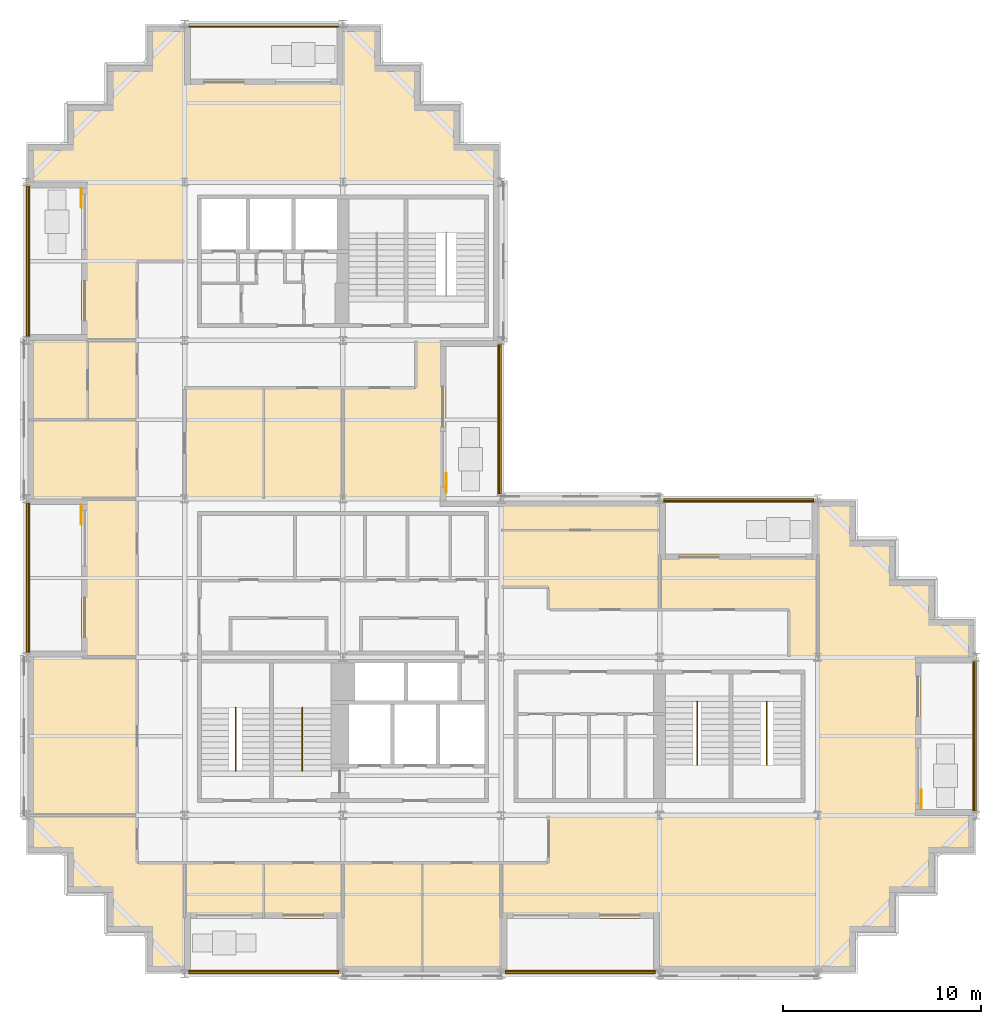
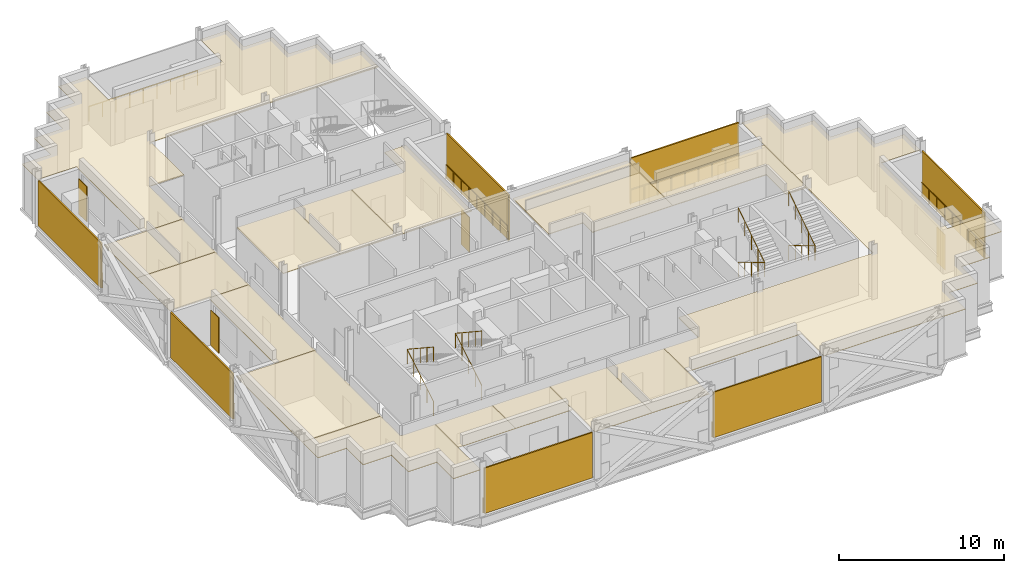
# One storey, part 10 of 12: 18 coverings, 12 railings, 11 shading devices.
"""IFC4 building model written with IfcOpenShell, lengths in metres."""

from ifc_helpers import new_model, si_unit, direction, frame, origin, origin_2d, place, context, subcontext, project, spatial, polyline, rectangle, circle, outline, extrude, material, layer, layer_set, type_object, element, save


model = new_model("IFC4")

# Units and contexts
model_context = context("Model", 3, precision=1e-05, world=origin(), true_north=direction((0.0, 1.0)))
body_context = subcontext(model_context, "Body", "Model", "MODEL_VIEW")
ifc_project = project(units=[si_unit("LENGTHUNIT", "METRE"), si_unit("AREAUNIT", "SQUARE_METRE"), si_unit("VOLUMEUNIT", "CUBIC_METRE"), si_unit("PLANEANGLEUNIT", "RADIAN"), si_unit("MASSUNIT", "GRAM", prefix="KILO")], contexts=[model_context])

# Site, building, storey
site_placement = place(None, origin())
site = spatial("IfcSite", under=ifc_project, at=site_placement, CompositionType="ELEMENT")
building_placement = place(site_placement, origin())
building = spatial("IfcBuilding", under=site, at=building_placement, Name="Immortelle Media Tower", CompositionType="ELEMENT")
storey_placement = place(building_placement, frame((0.0, 0.0, 124.199951171875)))
storey = spatial("IfcBuildingStorey", under=building, at=storey_placement, Name="L24", CompositionType="ELEMENT", Elevation=124.199951171875)

# Railings
ifc_material_1 = material(Name="Powder-coated aluminium fretwork panel, laminated glass backing", Category="aluminium")
railing_type_1 = type_object("IfcRailingType", Name="Fretwork balustrade 1100", PredefinedType="BALUSTRADE", material=ifc_material_1)
railing_1_placement = place(storey_placement, frame((8.20556640625, 0.139892578125, 0.0)))
element("IfcRailing", 1, at=railing_1_placement, inside=storey, type_object=railing_type_1, Name="Fretwork balustrade L24 S0", PredefinedType="BALUSTRADE", context=body_context, shape_type="SweptSolid", body=[
    extrude(circle(Radius=0.02490234375, at=origin_2d()), frame((0.0, 0.0, 1.0751953125), z_axis=(1.0, 0.0, 0.0), x_axis=(0.0, 1.0, 0.0)), (0.0, 0.0, 1.0), 7.58251953125),
    extrude(circle(Radius=0.02001953125, at=origin_2d()), origin(), (0.0, 0.0, 1.0), 1.050048828125),
    extrude(circle(Radius=0.02001953125, at=origin_2d()), frame((0.94775390625, 0.0, 0.0)), (0.0, 0.0, 1.0), 1.050048828125),
    extrude(circle(Radius=0.02001953125, at=origin_2d()), frame((1.8955078125, 0.0, 0.0)), (0.0, 0.0, 1.0), 1.050048828125),
    extrude(circle(Radius=0.02001953125, at=origin_2d()), frame((2.843505859375, 0.0, 0.0)), (0.0, 0.0, 1.0), 1.050048828125),
    extrude(circle(Radius=0.02001953125, at=origin_2d()), frame((3.791259765625, 0.0, 0.0)), (0.0, 0.0, 1.0), 1.050048828125),
    extrude(circle(Radius=0.02001953125, at=origin_2d()), frame((4.739013671875, 0.0, 0.0)), (0.0, 0.0, 1.0), 1.050048828125),
    extrude(circle(Radius=0.02001953125, at=origin_2d()), frame((5.68701171875, 0.0, 0.0)), (0.0, 0.0, 1.0), 1.050048828125),
    extrude(circle(Radius=0.02001953125, at=origin_2d()), frame((6.634765625, 0.0, 0.0)), (0.0, 0.0, 1.0), 1.050048828125),
    extrude(circle(Radius=0.02001953125, at=origin_2d()), frame((7.58251953125, 0.0, 0.0)), (0.0, 0.0, 1.0), 1.050048828125),
])
railing_2_placement = place(storey_placement, frame((24.2119140625, 0.139892578125, 0.0)))
element("IfcRailing", 2, at=railing_2_placement, inside=storey, type_object=railing_type_1, Name="Fretwork balustrade L24 S2", PredefinedType="BALUSTRADE", context=body_context, shape_type="SweptSolid", body=[
    extrude(circle(Radius=0.02490234375, at=origin_2d()), frame((0.0, 0.0, 1.0751953125), z_axis=(1.0, 0.0, 0.0), x_axis=(0.0, 1.0, 0.0)), (0.0, 0.0, 1.0), 7.576171875),
    extrude(circle(Radius=0.02001953125, at=origin_2d()), origin(), (0.0, 0.0, 1.0), 1.050048828125),
    extrude(circle(Radius=0.02001953125, at=origin_2d()), frame((0.947021484375, 0.0, 0.0)), (0.0, 0.0, 1.0), 1.050048828125),
    extrude(circle(Radius=0.02001953125, at=origin_2d()), frame((1.89404296875, 0.0, 0.0)), (0.0, 0.0, 1.0), 1.050048828125),
    extrude(circle(Radius=0.02001953125, at=origin_2d()), frame((2.841064453125, 0.0, 0.0)), (0.0, 0.0, 1.0), 1.050048828125),
    extrude(circle(Radius=0.02001953125, at=origin_2d()), frame((3.7880859375, 0.0, 0.0)), (0.0, 0.0, 1.0), 1.050048828125),
    extrude(circle(Radius=0.02001953125, at=origin_2d()), frame((4.735107421875, 0.0, 0.0)), (0.0, 0.0, 1.0), 1.050048828125),
    extrude(circle(Radius=0.02001953125, at=origin_2d()), frame((5.68212890625, 0.0, 0.0)), (0.0, 0.0, 1.0), 1.050048828125),
    extrude(circle(Radius=0.02001953125, at=origin_2d()), frame((6.629150390625, 0.0, 0.0)), (0.0, 0.0, 1.0), 1.050048828125),
    extrude(circle(Radius=0.02001953125, at=origin_2d()), frame((7.576171875, 0.0, 0.0)), (0.0, 0.0, 1.0), 1.050048828125),
])
railing_3_placement = place(storey_placement, frame((47.860107421875, 8.217041015625, 0.0)))
element("IfcRailing", 3, at=railing_3_placement, inside=storey, type_object=railing_type_1, Name="Fretwork balustrade L24 E0", PredefinedType="BALUSTRADE", context=body_context, shape_type="SweptSolid", body=[
    extrude(circle(Radius=0.02490234375, at=origin_2d()), frame((0.0, 0.0, 1.0751953125), z_axis=(0.0, 1.0, 0.0), x_axis=(-1.0, 0.0, 0.0)), (0.0, 0.0, 1.0), 7.56591796875),
    extrude(circle(Radius=0.02001953125, at=origin_2d()), origin(), (0.0, 0.0, 1.0), 1.050048828125),
    extrude(circle(Radius=0.02001953125, at=origin_2d()), frame((0.0, 0.94580078125, 0.0)), (0.0, 0.0, 1.0), 1.050048828125),
    extrude(circle(Radius=0.02001953125, at=origin_2d()), frame((0.0, 1.8916015625, 0.0)), (0.0, 0.0, 1.0), 1.050048828125),
    extrude(circle(Radius=0.02001953125, at=origin_2d()), frame((0.0, 2.837158203125, 0.0)), (0.0, 0.0, 1.0), 1.050048828125),
    extrude(circle(Radius=0.02001953125, at=origin_2d()), frame((0.0, 3.782958984375, 0.0)), (0.0, 0.0, 1.0), 1.050048828125),
    extrude(circle(Radius=0.02001953125, at=origin_2d()), frame((0.0, 4.728759765625, 0.0)), (0.0, 0.0, 1.0), 1.050048828125),
    extrude(circle(Radius=0.02001953125, at=origin_2d()), frame((0.0, 5.67431640625, 0.0)), (0.0, 0.0, 1.0), 1.050048828125),
    extrude(circle(Radius=0.02001953125, at=origin_2d()), frame((0.0, 6.6201171875, 0.0)), (0.0, 0.0, 1.0), 1.050048828125),
    extrude(circle(Radius=0.02001953125, at=origin_2d()), frame((0.0, 7.56591796875, 0.0)), (0.0, 0.0, 1.0), 1.050048828125),
])
railing_4_placement = place(storey_placement, frame((39.79443359375, 23.860107421875, 0.0)))
element("IfcRailing", 4, at=railing_4_placement, inside=storey, type_object=railing_type_1, Name="Fretwork balustrade L24 N0", PredefinedType="BALUSTRADE", context=body_context, shape_type="SweptSolid", body=[
    extrude(circle(Radius=0.02490234375, at=origin_2d()), frame((0.0, 0.0, 1.0751953125), z_axis=(-1.0, 0.0, 0.0), x_axis=(0.0, -1.0, 0.0)), (0.0, 0.0, 1.0), 7.58251953125),
    extrude(circle(Radius=0.02001953125, at=origin_2d()), origin(), (0.0, 0.0, 1.0), 1.050048828125),
    extrude(circle(Radius=0.02001953125, at=origin_2d()), frame((-0.94775390625, 0.0, 0.0)), (0.0, 0.0, 1.0), 1.050048828125),
    extrude(circle(Radius=0.02001953125, at=origin_2d()), frame((-1.8955078125, 0.0, 0.0)), (0.0, 0.0, 1.0), 1.050048828125),
    extrude(circle(Radius=0.02001953125, at=origin_2d()), frame((-2.843505859375, 0.0, 0.0)), (0.0, 0.0, 1.0), 1.050048828125),
    extrude(circle(Radius=0.02001953125, at=origin_2d()), frame((-3.791259765625, 0.0, 0.0)), (0.0, 0.0, 1.0), 1.050048828125),
    extrude(circle(Radius=0.02001953125, at=origin_2d()), frame((-4.739013671875, 0.0, 0.0)), (0.0, 0.0, 1.0), 1.050048828125),
    extrude(circle(Radius=0.02001953125, at=origin_2d()), frame((-5.68701171875, 0.0, 0.0)), (0.0, 0.0, 1.0), 1.050048828125),
    extrude(circle(Radius=0.02001953125, at=origin_2d()), frame((-6.634765625, 0.0, 0.0)), (0.0, 0.0, 1.0), 1.050048828125),
    extrude(circle(Radius=0.02001953125, at=origin_2d()), frame((-7.58251953125, 0.0, 0.0)), (0.0, 0.0, 1.0), 1.050048828125),
])
railing_5_placement = place(storey_placement, frame((23.860107421875, 24.237548828125, 0.0)))
element("IfcRailing", 5, at=railing_5_placement, inside=storey, type_object=railing_type_1, Name="Fretwork balustrade L24 E0", PredefinedType="BALUSTRADE", context=body_context, shape_type="SweptSolid", body=[
    extrude(circle(Radius=0.02490234375, at=origin_2d()), frame((0.0, 0.0, 1.0751953125), z_axis=(0.0, 1.0, 0.0), x_axis=(-1.0, 0.0, 0.0)), (0.0, 0.0, 1.0), 7.553955078125),
    extrude(circle(Radius=0.02001953125, at=origin_2d()), origin(), (0.0, 0.0, 1.0), 1.050048828125),
    extrude(circle(Radius=0.02001953125, at=origin_2d()), frame((0.0, 0.9443359375, 0.0)), (0.0, 0.0, 1.0), 1.050048828125),
    extrude(circle(Radius=0.02001953125, at=origin_2d()), frame((0.0, 1.888427734375, 0.0)), (0.0, 0.0, 1.0), 1.050048828125),
    extrude(circle(Radius=0.02001953125, at=origin_2d()), frame((0.0, 2.832763671875, 0.0)), (0.0, 0.0, 1.0), 1.050048828125),
    extrude(circle(Radius=0.02001953125, at=origin_2d()), frame((0.0, 3.77685546875, 0.0)), (0.0, 0.0, 1.0), 1.050048828125),
    extrude(circle(Radius=0.02001953125, at=origin_2d()), frame((0.0, 4.72119140625, 0.0)), (0.0, 0.0, 1.0), 1.050048828125),
    extrude(circle(Radius=0.02001953125, at=origin_2d()), frame((0.0, 5.66552734375, 0.0)), (0.0, 0.0, 1.0), 1.050048828125),
    extrude(circle(Radius=0.02001953125, at=origin_2d()), frame((0.0, 6.609619140625, 0.0)), (0.0, 0.0, 1.0), 1.050048828125),
    extrude(circle(Radius=0.02001953125, at=origin_2d()), frame((0.0, 7.553955078125, 0.0)), (0.0, 0.0, 1.0), 1.050048828125),
])
railing_6_placement = place(storey_placement, frame((15.800537109375, 47.860107421875, 0.0)))
element("IfcRailing", 6, at=railing_6_placement, inside=storey, type_object=railing_type_1, Name="Fretwork balustrade L24 N0", PredefinedType="BALUSTRADE", context=body_context, shape_type="SweptSolid", body=[
    extrude(circle(Radius=0.02490234375, at=origin_2d()), frame((0.0, 0.0, 1.0751953125), z_axis=(-1.0, 0.0, 0.0), x_axis=(0.0, -1.0, 0.0)), (0.0, 0.0, 1.0), 7.60107421875),
    extrude(circle(Radius=0.02001953125, at=origin_2d()), origin(), (0.0, 0.0, 1.0), 1.050048828125),
    extrude(circle(Radius=0.02001953125, at=origin_2d()), frame((-0.9501953125, 0.0, 0.0)), (0.0, 0.0, 1.0), 1.050048828125),
    extrude(circle(Radius=0.02001953125, at=origin_2d()), frame((-1.900390625, 0.0, 0.0)), (0.0, 0.0, 1.0), 1.050048828125),
    extrude(circle(Radius=0.02001953125, at=origin_2d()), frame((-2.850341796875, 0.0, 0.0)), (0.0, 0.0, 1.0), 1.050048828125),
    extrude(circle(Radius=0.02001953125, at=origin_2d()), frame((-3.800537109375, 0.0, 0.0)), (0.0, 0.0, 1.0), 1.050048828125),
    extrude(circle(Radius=0.02001953125, at=origin_2d()), frame((-4.750732421875, 0.0, 0.0)), (0.0, 0.0, 1.0), 1.050048828125),
    extrude(circle(Radius=0.02001953125, at=origin_2d()), frame((-5.70068359375, 0.0, 0.0)), (0.0, 0.0, 1.0), 1.050048828125),
    extrude(circle(Radius=0.02001953125, at=origin_2d()), frame((-6.65087890625, 0.0, 0.0)), (0.0, 0.0, 1.0), 1.050048828125),
    extrude(circle(Radius=0.02001953125, at=origin_2d()), frame((-7.60107421875, 0.0, 0.0)), (0.0, 0.0, 1.0), 1.050048828125),
])
railing_7_placement = place(storey_placement, frame((0.139892578125, 39.806884765625, 0.0)))
element("IfcRailing", 7, at=railing_7_placement, inside=storey, type_object=railing_type_1, Name="Fretwork balustrade L24 W0", PredefinedType="BALUSTRADE", context=body_context, shape_type="SweptSolid", body=[
    extrude(circle(Radius=0.02490234375, at=origin_2d()), frame((0.0, 0.0, 1.0751953125), z_axis=(0.0, -1.0, 0.0), x_axis=(1.0, 0.0, 0.0)), (0.0, 0.0, 1.0), 7.598388671875),
    extrude(circle(Radius=0.02001953125, at=origin_2d()), origin(), (0.0, 0.0, 1.0), 1.050048828125),
    extrude(circle(Radius=0.02001953125, at=origin_2d()), frame((0.0, -0.94970703125, 0.0)), (0.0, 0.0, 1.0), 1.050048828125),
    extrude(circle(Radius=0.02001953125, at=origin_2d()), frame((0.0, -1.899658203125, 0.0)), (0.0, 0.0, 1.0), 1.050048828125),
    extrude(circle(Radius=0.02001953125, at=origin_2d()), frame((0.0, -2.849365234375, 0.0)), (0.0, 0.0, 1.0), 1.050048828125),
    extrude(circle(Radius=0.02001953125, at=origin_2d()), frame((0.0, -3.79931640625, 0.0)), (0.0, 0.0, 1.0), 1.050048828125),
    extrude(circle(Radius=0.02001953125, at=origin_2d()), frame((0.0, -4.7490234375, 0.0)), (0.0, 0.0, 1.0), 1.050048828125),
    extrude(circle(Radius=0.02001953125, at=origin_2d()), frame((0.0, -5.69873046875, 0.0)), (0.0, 0.0, 1.0), 1.050048828125),
    extrude(circle(Radius=0.02001953125, at=origin_2d()), frame((0.0, -6.648681640625, 0.0)), (0.0, 0.0, 1.0), 1.050048828125),
    extrude(circle(Radius=0.02001953125, at=origin_2d()), frame((0.0, -7.598388671875, 0.0)), (0.0, 0.0, 1.0), 1.050048828125),
])
railing_8_placement = place(storey_placement, frame((0.139892578125, 23.79150390625, 0.0)))
element("IfcRailing", 8, at=railing_8_placement, inside=storey, type_object=railing_type_1, Name="Fretwork balustrade L24 W2", PredefinedType="BALUSTRADE", context=body_context, shape_type="SweptSolid", body=[
    extrude(circle(Radius=0.02490234375, at=origin_2d()), frame((0.0, 0.0, 1.0751953125), z_axis=(0.0, -1.0, 0.0), x_axis=(1.0, 0.0, 0.0)), (0.0, 0.0, 1.0), 7.553955078125),
    extrude(circle(Radius=0.02001953125, at=origin_2d()), origin(), (0.0, 0.0, 1.0), 1.050048828125),
    extrude(circle(Radius=0.02001953125, at=origin_2d()), frame((0.0, -0.9443359375, 0.0)), (0.0, 0.0, 1.0), 1.050048828125),
    extrude(circle(Radius=0.02001953125, at=origin_2d()), frame((0.0, -1.888427734375, 0.0)), (0.0, 0.0, 1.0), 1.050048828125),
    extrude(circle(Radius=0.02001953125, at=origin_2d()), frame((0.0, -2.832763671875, 0.0)), (0.0, 0.0, 1.0), 1.050048828125),
    extrude(circle(Radius=0.02001953125, at=origin_2d()), frame((0.0, -3.77685546875, 0.0)), (0.0, 0.0, 1.0), 1.050048828125),
    extrude(circle(Radius=0.02001953125, at=origin_2d()), frame((0.0, -4.72119140625, 0.0)), (0.0, 0.0, 1.0), 1.050048828125),
    extrude(circle(Radius=0.02001953125, at=origin_2d()), frame((0.0, -5.66552734375, 0.0)), (0.0, 0.0, 1.0), 1.050048828125),
    extrude(circle(Radius=0.02001953125, at=origin_2d()), frame((0.0, -6.609619140625, 0.0)), (0.0, 0.0, 1.0), 1.050048828125),
    extrude(circle(Radius=0.02001953125, at=origin_2d()), frame((0.0, -7.553955078125, 0.0)), (0.0, 0.0, 1.0), 1.050048828125),
])

# Shading devices
ifc_material_2 = material(Name="Pale aluminium louvre blades", Category="aluminium")
ifc_layer_1 = layer(ifc_material_2, 0.10009765625)
ifc_layer_set_1 = layer_set([ifc_layer_1], Name="Pale aluminium louvre blades")
shading_device_type_1 = type_object("IfcShadingDeviceType", Name="Jalousie screen 100", PredefinedType="JALOUSIE", material=ifc_layer_set_1)
shading_device_1_placement = place(storey_placement, frame((11.996826171875, 0.050048828125, 0.0), z_axis=(0.0, 0.0, 1.0), x_axis=(1.0, 0.0, 0.0)))
element("IfcShadingDevice", 9, at=shading_device_1_placement, inside=storey, type_object=shading_device_type_1, Name="Jalousie screen L24 S0", PredefinedType="JALOUSIE", context=body_context, shape_type="SweptSolid", body=[
    extrude(rectangle(XDim=7.58251953125, YDim=0.10009765625, at=origin_2d()), origin(), (0.0, 0.0, 1.0), 3.35693359375),
])
shading_device_2_placement = place(storey_placement, frame((28.0, 0.050048828125, 0.0), z_axis=(0.0, 0.0, 1.0), x_axis=(1.0, 0.0, 0.0)))
element("IfcShadingDevice", 10, at=shading_device_2_placement, inside=storey, type_object=shading_device_type_1, Name="Jalousie screen L24 S2", PredefinedType="JALOUSIE", context=body_context, shape_type="SweptSolid", body=[
    extrude(rectangle(XDim=7.575927734375, YDim=0.10009765625, at=origin_2d()), origin(), (0.0, 0.0, 1.0), 3.35693359375),
])
shading_device_3_placement = place(storey_placement, frame((47.949951171875, 12.0, 0.0), z_axis=(0.0, 0.0, 1.0), x_axis=(0.0, 1.0, 0.0)))
element("IfcShadingDevice", 11, at=shading_device_3_placement, inside=storey, type_object=shading_device_type_1, Name="Jalousie screen L24 E0", PredefinedType="JALOUSIE", context=body_context, shape_type="SweptSolid", body=[
    extrude(rectangle(XDim=7.56591796875, YDim=0.10009765625, at=origin_2d()), origin(), (0.0, 0.0, 1.0), 3.35693359375),
])
shading_device_4_placement = place(storey_placement, frame((36.003173828125, 23.949951171875, 0.0), z_axis=(0.0, 0.0, 1.0), x_axis=(-1.0, 0.0, 0.0)))
element("IfcShadingDevice", 12, at=shading_device_4_placement, inside=storey, type_object=shading_device_type_1, Name="Jalousie screen L24 N0", PredefinedType="JALOUSIE", context=body_context, shape_type="SweptSolid", body=[
    extrude(rectangle(XDim=7.58251953125, YDim=0.10009765625, at=origin_2d()), origin(), (0.0, 0.0, 1.0), 3.35693359375),
])
shading_device_5_placement = place(storey_placement, frame((23.949951171875, 28.014404296875, 0.0), z_axis=(0.0, 0.0, 1.0), x_axis=(0.0, 1.0, 0.0)))
element("IfcShadingDevice", 13, at=shading_device_5_placement, inside=storey, type_object=shading_device_type_1, Name="Jalousie screen L24 E0", PredefinedType="JALOUSIE", context=body_context, shape_type="SweptSolid", body=[
    extrude(rectangle(XDim=7.553955078125, YDim=0.10009765625, at=origin_2d()), origin(), (0.0, 0.0, 1.0), 3.35693359375),
])
shading_device_6_placement = place(storey_placement, frame((0.050048828125, 36.0078125, 0.0), z_axis=(0.0, 0.0, 1.0), x_axis=(0.0, -1.0, 0.0)))
element("IfcShadingDevice", 14, at=shading_device_6_placement, inside=storey, type_object=shading_device_type_1, Name="Jalousie screen L24 W0", PredefinedType="JALOUSIE", context=body_context, shape_type="SweptSolid", body=[
    extrude(rectangle(XDim=7.598388671875, YDim=0.10009765625, at=origin_2d()), origin(), (0.0, 0.0, 1.0), 3.35693359375),
])
shading_device_7_placement = place(storey_placement, frame((0.050048828125, 20.014404296875, 0.0), z_axis=(0.0, 0.0, 1.0), x_axis=(0.0, -1.0, 0.0)))
element("IfcShadingDevice", 15, at=shading_device_7_placement, inside=storey, type_object=shading_device_type_1, Name="Jalousie screen L24 W2", PredefinedType="JALOUSIE", context=body_context, shape_type="SweptSolid", body=[
    extrude(rectangle(XDim=7.553955078125, YDim=0.10009765625, at=origin_2d()), origin(), (0.0, 0.0, 1.0), 3.35693359375),
])
ifc_material_3 = material(Name="Pale aluminium louvre blades in a folding frame", Category="aluminium")
ifc_layer_2 = layer(ifc_material_3, 0.050048828125)
ifc_layer_set_2 = layer_set([ifc_layer_2], Name="Pale aluminium louvre blades in a folding frame")
shading_device_type_2 = type_object("IfcShadingDeviceType", Name="Louvred loggia shutter", PredefinedType="SHUTTER", material=ifc_layer_set_2)
for number, where, z_axis, x_axis, name in (
    (16, (45.22509765625, 8.800048828125, 0.0), (0.0, 0.0, 1.0), (0.0, 1.0, 0.0), "Loggia shutter L24 E0"),
    (17, (21.22509765625, 24.800048828125, 0.0), (0.0, 0.0, 1.0), (0.0, 1.0, 0.0), "Loggia shutter L24 E0"),
    (18, (2.77490234375, 39.199951171875, 0.0), (0.0, 0.0, 1.0), (0.0, -1.0, 0.0), "Loggia shutter L24 W0"),
    (19, (2.77490234375, 23.199951171875, 0.0), (0.0, 0.0, 1.0), (0.0, -1.0, 0.0), "Loggia shutter L24 W2"),
):
    element("IfcShadingDevice", number, at=place(storey_placement, frame(where, z_axis=z_axis, x_axis=x_axis)), inside=storey, type_object=shading_device_type_2, Name=name, PredefinedType="SHUTTER", context=body_context, shape_type="SweptSolid", body=[
        extrude(rectangle(XDim=1.0, YDim=0.050048828125, at=origin_2d()), origin(), (0.0, 0.0, 1.0), 2.60009765625),
    ])

# Railings
ifc_material_4 = material(Name="Stainless steel AISI 316", Category="steel")
railing_type_2 = type_object("IfcRailingType", Name="Stair guard 1100", PredefinedType="GUARDRAIL", material=ifc_material_4)
for number, where, name in (
    (20, (10.574951171875, 10.25, 0.175048828125), "Stair guard SW1"),
    (21, (13.949951171875, 10.25, 0.175048828125), "Stair guard SW2"),
):
    element("IfcRailing", number, at=place(storey_placement, frame(where)), inside=storey, type_object=railing_type_2, Name=name, PredefinedType="GUARDRAIL", context=body_context, shape_type="SweptSolid", body=[
        extrude(circle(Radius=0.02392578125, at=origin_2d()), frame((0.0, 0.0, 1.076171875), z_axis=(0.0, 0.856177665481, 0.516681531633), x_axis=(-1.0, 0.0, 0.0)), (0.0, 0.0, 1.0), 3.725830078125),
        extrude(circle(Radius=0.02392578125, at=origin_2d()), frame((0.0, 3.18994140625, 3.0009765625), z_axis=(0.0, -0.835271834381, 0.549837214719), x_axis=(1.0, 0.0, 0.0)), (0.0, 0.0, 1.0), 3.819091796875),
        extrude(circle(Radius=0.02099609375, at=origin_2d()), origin(), (0.0, 0.0, 1.0), 1.052001953125),
        extrude(circle(Radius=0.02099609375, at=origin_2d()), frame((0.0, 0.79736328125, 0.481201171875)), (0.0, 0.0, 1.0), 1.052001953125),
        extrude(circle(Radius=0.02099609375, at=origin_2d()), frame((0.0, 1.594970703125, 0.96240234375)), (0.0, 0.0, 1.0), 1.052001953125),
        extrude(circle(Radius=0.02099609375, at=origin_2d()), frame((0.0, 2.392578125, 1.44384765625)), (0.0, 0.0, 1.0), 1.052001953125),
        extrude(circle(Radius=0.02099609375, at=origin_2d()), frame((0.0, 3.18994140625, 1.925048828125)), (0.0, 0.0, 1.0), 1.052001953125),
        extrude(circle(Radius=0.02099609375, at=origin_2d()), frame((0.0, 2.392578125, 2.449951171875)), (0.0, 0.0, 1.0), 1.052001953125),
        extrude(circle(Radius=0.02099609375, at=origin_2d()), frame((0.0, 1.594970703125, 2.97509765625)), (0.0, 0.0, 1.0), 1.052001953125),
        extrude(circle(Radius=0.02099609375, at=origin_2d()), frame((0.0, 0.79736328125, 3.5)), (0.0, 0.0, 1.0), 1.052001953125),
        extrude(circle(Radius=0.02099609375, at=origin_2d()), frame((0.0, 0.0, 4.02490234375)), (0.0, 0.0, 1.0), 1.052001953125),
    ])
for number, where, name in (
    (22, (33.89990234375, 13.75, 0.175048828125), "Stair guard SE1"),
    (23, (37.425048828125, 13.75, 0.175048828125), "Stair guard SE2"),
):
    element("IfcRailing", number, at=place(storey_placement, frame(where)), inside=storey, type_object=railing_type_2, Name=name, PredefinedType="GUARDRAIL", context=body_context, shape_type="SweptSolid", body=[
        extrude(circle(Radius=0.02392578125, at=origin_2d()), frame((0.0, 0.0, 1.076171875), z_axis=(0.0, -0.856177665481, 0.516681531633), x_axis=(1.0, 0.0, 0.0)), (0.0, 0.0, 1.0), 3.725830078125),
        extrude(circle(Radius=0.02392578125, at=origin_2d()), frame((0.0, -3.18994140625, 3.0009765625), z_axis=(0.0, 0.835271834381, 0.549837214719), x_axis=(-1.0, 0.0, 0.0)), (0.0, 0.0, 1.0), 3.819091796875),
        extrude(circle(Radius=0.02099609375, at=origin_2d()), origin(), (0.0, 0.0, 1.0), 1.052001953125),
        extrude(circle(Radius=0.02099609375, at=origin_2d()), frame((0.0, -0.79736328125, 0.481201171875)), (0.0, 0.0, 1.0), 1.052001953125),
        extrude(circle(Radius=0.02099609375, at=origin_2d()), frame((0.0, -1.594970703125, 0.96240234375)), (0.0, 0.0, 1.0), 1.052001953125),
        extrude(circle(Radius=0.02099609375, at=origin_2d()), frame((0.0, -2.392578125, 1.44384765625)), (0.0, 0.0, 1.0), 1.052001953125),
        extrude(circle(Radius=0.02099609375, at=origin_2d()), frame((0.0, -3.18994140625, 1.925048828125)), (0.0, 0.0, 1.0), 1.052001953125),
        extrude(circle(Radius=0.02099609375, at=origin_2d()), frame((0.0, -2.392578125, 2.449951171875)), (0.0, 0.0, 1.0), 1.052001953125),
        extrude(circle(Radius=0.02099609375, at=origin_2d()), frame((0.0, -1.594970703125, 2.97509765625)), (0.0, 0.0, 1.0), 1.052001953125),
        extrude(circle(Radius=0.02099609375, at=origin_2d()), frame((0.0, -0.79736328125, 3.5)), (0.0, 0.0, 1.0), 1.052001953125),
        extrude(circle(Radius=0.02099609375, at=origin_2d()), frame((0.0, 0.0, 4.02490234375)), (0.0, 0.0, 1.0), 1.052001953125),
    ])

# Coverings
ifc_material_5 = material(Name="Mineral fibre tile ceiling")
ifc_layer_3 = layer(ifc_material_5, 0.050048828125)
ifc_layer_set_3 = layer_set([ifc_layer_3], Name="Mineral fibre tile ceiling")
covering_type = type_object("IfcCoveringType", Name="Suspended ceiling 50", PredefinedType="CEILING", material=ifc_layer_set_3)
covering_1_placement = place(storey_placement, frame((0.0, 0.0, 3.238037109375)))
element("IfcCovering", 24, at=covering_1_placement, inside=storey, type_object=covering_type, Name="Ceiling L24-001", PredefinedType="CEILING", context=body_context, shape_type="SweptSolid", body=[
    extrude(outline(polyline([(16.0, 2.800048828125), (16.0, 5.60009765625), (20.0, 5.60009765625), (20.0, 0.10009765625), (16.0, 0.10009765625), (16.0, 2.800048828125)])), origin(), (0.0, 0.0, 1.0), 0.050048828125),
])
covering_2_placement = place(storey_placement, frame((0.0, 0.0, 3.238037109375)))
element("IfcCovering", 25, at=covering_2_placement, inside=storey, type_object=covering_type, Name="Ceiling L24-002", PredefinedType="CEILING", context=body_context, shape_type="SweptSolid", body=[
    extrude(outline(polyline([(24.0, 5.60009765625), (24.0, 2.800048828125), (24.0, 0.10009765625), (20.0, 0.10009765625), (20.0, 5.60009765625), (24.0, 5.60009765625)])), origin(), (0.0, 0.0, 1.0), 0.050048828125),
])
covering_3_placement = place(storey_placement, frame((0.0, 0.0, 3.238037109375)))
element("IfcCovering", 26, at=covering_3_placement, inside=storey, type_object=covering_type, Name="Ceiling L24-003", PredefinedType="CEILING", context=body_context, shape_type="SweptSolid", body=[
    extrude(outline(polyline([(8.0, 5.60009765625), (12.0, 5.60009765625), (12.0, 2.800048828125), (8.0, 2.800048828125), (8.0, 5.60009765625)])), origin(), (0.0, 0.0, 1.0), 0.050048828125),
])
covering_4_placement = place(storey_placement, frame((0.0, 0.0, 3.238037109375)))
element("IfcCovering", 27, at=covering_4_placement, inside=storey, type_object=covering_type, Name="Ceiling L24-004", PredefinedType="CEILING", context=body_context, shape_type="SweptSolid", body=[
    extrude(outline(polyline([(16.0, 5.60009765625), (16.0, 2.800048828125), (12.0, 2.800048828125), (12.0, 5.60009765625), (16.0, 5.60009765625)])), origin(), (0.0, 0.0, 1.0), 0.050048828125),
])
covering_5_placement = place(storey_placement, frame((0.0, 0.0, 3.238037109375)))
element("IfcCovering", 28, at=covering_5_placement, inside=storey, type_object=covering_type, Name="Ceiling L24-005", PredefinedType="CEILING", context=body_context, shape_type="SweptSolid", body=[
    extrude(outline(polyline([(4.10009765625, 2.10009765625), (4.10009765625, 4.10009765625), (4.0, 4.10009765625), (2.10009765625, 4.10009765625), (2.10009765625, 6.10009765625), (0.10009765625, 6.10009765625), (0.10009765625, 8.0), (4.0, 8.0), (5.60009765625, 8.0), (5.60009765625, 5.60009765625), (8.0, 5.60009765625), (8.0, 2.800048828125), (8.0, 0.10009765625), (6.10009765625, 0.10009765625), (6.10009765625, 2.10009765625), (4.10009765625, 2.10009765625)])), origin(), (0.0, 0.0, 1.0), 0.050048828125),
])
covering_6_placement = place(storey_placement, frame((0.0, 0.0, 3.238037109375)))
element("IfcCovering", 29, at=covering_6_placement, inside=storey, type_object=covering_type, Name="Ceiling L24-006", PredefinedType="CEILING", context=body_context, shape_type="SweptSolid", body=[
    extrude(outline(polyline([(26.39990234375, 5.60009765625), (26.39990234375, 8.0), (32.0, 8.0), (40.0, 8.0), (40.0, 16.0), (40.0, 21.199951171875), (40.0, 23.89990234375), (41.89990234375, 23.89990234375), (41.89990234375, 21.89990234375), (43.89990234375, 21.89990234375), (43.89990234375, 19.89990234375), (45.89990234375, 19.89990234375), (45.89990234375, 17.89990234375), (47.89990234375, 17.89990234375), (47.89990234375, 16.0), (45.199951171875, 16.0), (45.199951171875, 8.0), (47.89990234375, 8.0), (47.89990234375, 6.10009765625), (45.89990234375, 6.10009765625), (45.89990234375, 4.10009765625), (43.89990234375, 4.10009765625), (43.89990234375, 2.10009765625), (41.89990234375, 2.10009765625), (41.89990234375, 0.10009765625), (40.0, 0.10009765625), (32.0, 0.10009765625), (32.0, 2.800048828125), (24.0, 2.800048828125), (24.0, 5.60009765625), (26.39990234375, 5.60009765625)])), origin(), (0.0, 0.0, 1.0), 0.050048828125),
])
covering_7_placement = place(storey_placement, frame((0.0, 0.0, 3.238037109375)))
element("IfcCovering", 30, at=covering_7_placement, inside=storey, type_object=covering_type, Name="Ceiling L24-007", PredefinedType="CEILING", context=body_context, shape_type="SweptSolid", body=[
    extrude(outline(polyline([(5.60009765625, 8.0), (0.10009765625, 8.0), (0.10009765625, 16.0), (2.800048828125, 16.0), (5.60009765625, 16.0), (5.60009765625, 8.0)])), origin(), (0.0, 0.0, 1.0), 0.050048828125),
])
covering_8_placement = place(storey_placement, frame((0.0, 0.0, 3.238037109375)))
element("IfcCovering", 31, at=covering_8_placement, inside=storey, type_object=covering_type, Name="Ceiling L24-008", PredefinedType="CEILING", context=body_context, shape_type="SweptSolid", body=[
    extrude(outline(polyline([(38.550048828125, 16.0), (38.550048828125, 18.39990234375), (32.0, 18.39990234375), (32.0, 21.199951171875), (40.0, 21.199951171875), (40.0, 16.0), (38.550048828125, 16.0)])), origin(), (0.0, 0.0, 1.0), 0.050048828125),
])
covering_9_placement = place(storey_placement, frame((0.0, 0.0, 3.238037109375)))
element("IfcCovering", 32, at=covering_9_placement, inside=storey, type_object=covering_type, Name="Ceiling L24-009", PredefinedType="CEILING", context=body_context, shape_type="SweptSolid", body=[
    extrude(outline(polyline([(5.60009765625, 19.449951171875), (5.60009765625, 16.0), (2.800048828125, 16.0), (2.800048828125, 24.0), (5.60009765625, 24.0), (5.60009765625, 19.449951171875)])), origin(), (0.0, 0.0, 1.0), 0.050048828125),
])
covering_10_placement = place(storey_placement, frame((0.0, 0.0, 3.238037109375)))
element("IfcCovering", 33, at=covering_10_placement, inside=storey, type_object=covering_type, Name="Ceiling L24-010", PredefinedType="CEILING", context=body_context, shape_type="SweptSolid", body=[
    extrude(outline(polyline([(26.39990234375, 18.39990234375), (26.39990234375, 19.550048828125), (24.0, 19.550048828125), (24.0, 22.39990234375), (32.0, 22.39990234375), (32.0, 21.199951171875), (32.0, 18.39990234375), (27.0, 18.39990234375), (26.39990234375, 18.39990234375)])), origin(), (0.0, 0.0, 1.0), 0.050048828125),
])
covering_11_placement = place(storey_placement, frame((0.0, 0.0, 3.238037109375)))
element("IfcCovering", 34, at=covering_11_placement, inside=storey, type_object=covering_type, Name="Ceiling L24-011", PredefinedType="CEILING", context=body_context, shape_type="SweptSolid", body=[
    extrude(outline(polyline([(24.0, 23.89990234375), (32.0, 23.89990234375), (32.0, 22.39990234375), (24.0, 22.39990234375), (24.0, 23.89990234375)])), origin(), (0.0, 0.0, 1.0), 0.050048828125),
])
covering_12_placement = place(storey_placement, frame((0.0, 0.0, 3.238037109375)))
element("IfcCovering", 35, at=covering_12_placement, inside=storey, type_object=covering_type, Name="Ceiling L24-012", PredefinedType="CEILING", context=body_context, shape_type="SweptSolid", body=[
    extrude(outline(polyline([(12.0, 29.60009765625), (12.0, 24.0), (8.0, 24.0), (8.0, 29.60009765625), (12.0, 29.60009765625)])), origin(), (0.0, 0.0, 1.0), 0.050048828125),
])
covering_13_placement = place(storey_placement, frame((0.0, 0.0, 3.238037109375)))
element("IfcCovering", 36, at=covering_13_placement, inside=storey, type_object=covering_type, Name="Ceiling L24-013", PredefinedType="CEILING", context=body_context, shape_type="SweptSolid", body=[
    extrude(outline(polyline([(12.199951171875, 29.60009765625), (12.39990234375, 29.60009765625), (16.0, 29.60009765625), (16.0, 24.0), (12.0, 24.0), (12.0, 29.60009765625), (12.199951171875, 29.60009765625)])), origin(), (0.0, 0.0, 1.0), 0.050048828125),
])
covering_14_placement = place(storey_placement, frame((0.0, 0.0, 3.238037109375)))
element("IfcCovering", 37, at=covering_14_placement, inside=storey, type_object=covering_type, Name="Ceiling L24-014", PredefinedType="CEILING", context=body_context, shape_type="SweptSolid", body=[
    extrude(outline(polyline([(19.699951171875, 29.60009765625), (19.699951171875, 32.0), (21.199951171875, 32.0), (21.199951171875, 24.0), (16.0, 24.0), (16.0, 29.60009765625), (19.699951171875, 29.60009765625)])), origin(), (0.0, 0.0, 1.0), 0.050048828125),
])
covering_15_placement = place(storey_placement, frame((0.0, 0.0, 3.238037109375)))
element("IfcCovering", 38, at=covering_15_placement, inside=storey, type_object=covering_type, Name="Ceiling L24-015", PredefinedType="CEILING", context=body_context, shape_type="SweptSolid", body=[
    extrude(outline(polyline([(5.60009765625, 24.0), (2.800048828125, 24.0), (0.10009765625, 24.0), (0.10009765625, 28.0), (5.60009765625, 28.0), (5.60009765625, 24.0)])), origin(), (0.0, 0.0, 1.0), 0.050048828125),
])
covering_16_placement = place(storey_placement, frame((0.0, 0.0, 3.238037109375)))
element("IfcCovering", 39, at=covering_16_placement, inside=storey, type_object=covering_type, Name="Ceiling L24-016", PredefinedType="CEILING", context=body_context, shape_type="SweptSolid", body=[
    extrude(outline(polyline([(3.10009765625, 28.0), (3.10009765625, 32.0), (5.60009765625, 32.0), (5.60009765625, 29.60009765625), (5.60009765625, 28.0), (3.10009765625, 28.0)])), origin(), (0.0, 0.0, 1.0), 0.050048828125),
])
covering_17_placement = place(storey_placement, frame((0.0, 0.0, 3.238037109375)))
element("IfcCovering", 40, at=covering_17_placement, inside=storey, type_object=covering_type, Name="Ceiling L24-017", PredefinedType="CEILING", context=body_context, shape_type="SweptSolid", body=[
    extrude(outline(polyline([(0.10009765625, 28.0), (0.10009765625, 32.0), (2.800048828125, 32.0), (3.10009765625, 32.0), (3.10009765625, 28.0), (0.10009765625, 28.0)])), origin(), (0.0, 0.0, 1.0), 0.050048828125),
])
covering_18_placement = place(storey_placement, frame((0.0, 0.0, 3.238037109375)))
element("IfcCovering", 41, at=covering_18_placement, inside=storey, type_object=covering_type, Name="Ceiling L24-018", PredefinedType="CEILING", context=body_context, shape_type="SweptSolid", body=[
    extrude(outline(polyline([(2.800048828125, 40.0), (0.10009765625, 40.0), (0.10009765625, 41.89990234375), (2.10009765625, 41.89990234375), (2.10009765625, 43.89990234375), (4.10009765625, 43.89990234375), (4.10009765625, 45.89990234375), (6.10009765625, 45.89990234375), (6.10009765625, 47.89990234375), (8.0, 47.89990234375), (8.0, 45.199951171875), (16.0, 45.199951171875), (16.0, 47.89990234375), (17.89990234375, 47.89990234375), (17.89990234375, 45.89990234375), (19.89990234375, 45.89990234375), (19.89990234375, 43.89990234375), (21.89990234375, 43.89990234375), (21.89990234375, 41.89990234375), (23.89990234375, 41.89990234375), (23.89990234375, 40.0), (16.0, 40.0), (8.0, 40.0), (8.0, 36.0), (5.60009765625, 36.0), (5.60009765625, 32.0), (2.800048828125, 32.0), (2.800048828125, 40.0)])), origin(), (0.0, 0.0, 1.0), 0.050048828125),
])

save(model, "model.ifc")
